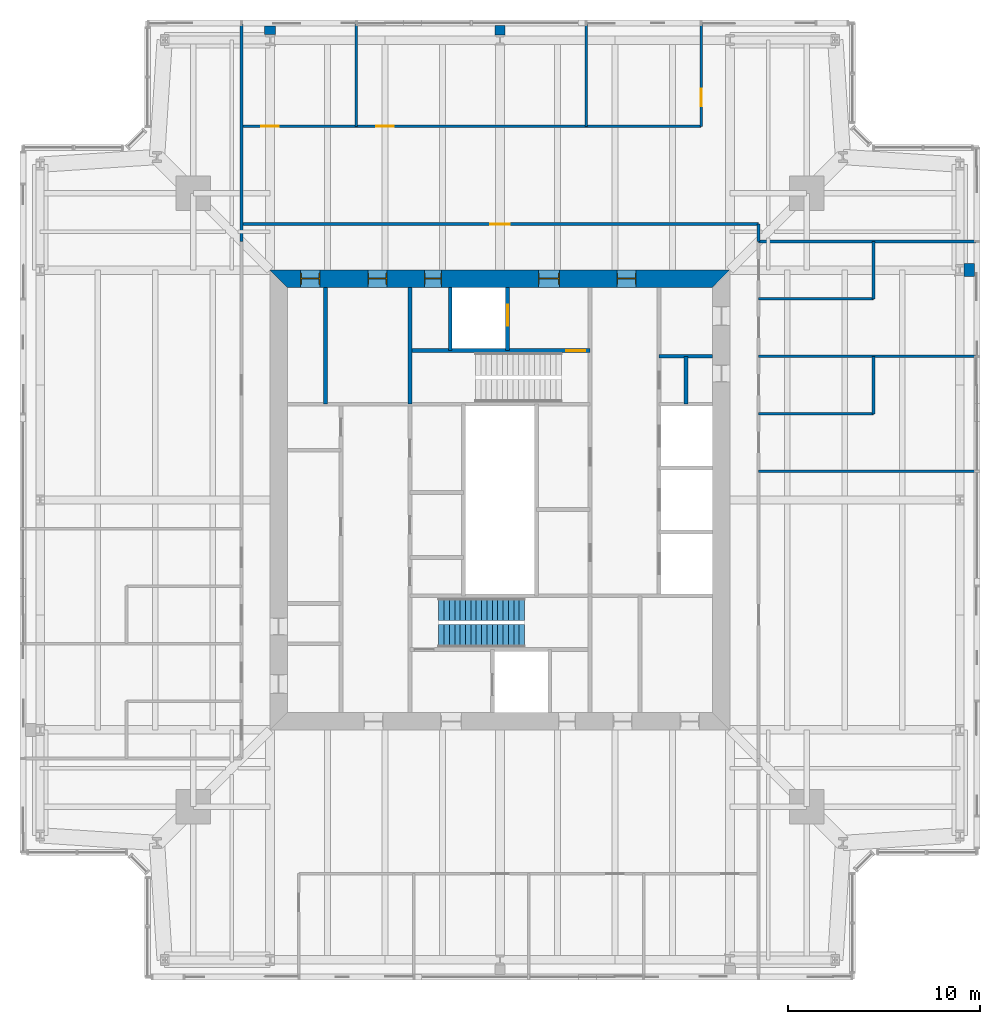
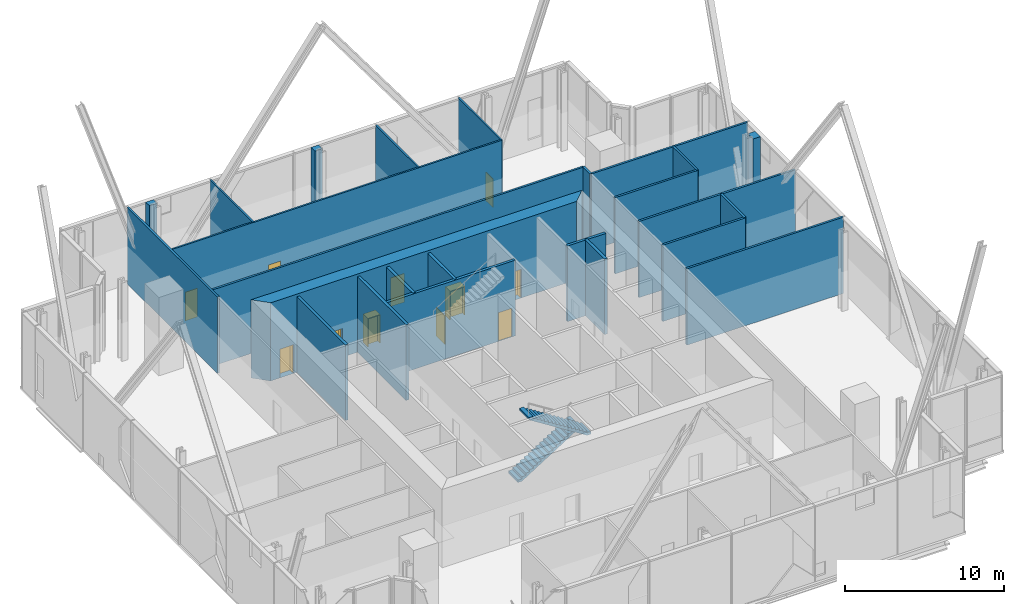
# One storey, part 12 of 20: 25 walls, 11 doors, 2 stair flights, 11 openings, 1 element without a shape of its own.
"""IFC4 building model written with IfcOpenShell, lengths in metres."""

from ifc_helpers import new_model, si_unit, direction, frame, frame_2d, origin, place, context, subcontext, project, spatial, polyline, rectangle, outline, extrude, material, layer, layer_set, type_object, element, fill, aggregate, save


model = new_model("IFC4")

# Units and contexts
model_context = context("Model", 3, precision=1e-05, world=origin(), true_north=direction((0.0, 1.0)))
body_context = subcontext(model_context, "Body", "Model", "MODEL_VIEW")
ifc_project = project(units=[si_unit("LENGTHUNIT", "METRE"), si_unit("AREAUNIT", "SQUARE_METRE"), si_unit("VOLUMEUNIT", "CUBIC_METRE"), si_unit("PLANEANGLEUNIT", "RADIAN"), si_unit("MASSUNIT", "GRAM", prefix="KILO")], contexts=[model_context])

# Site, building, storey
site_placement = place(None, origin())
site = spatial("IfcSite", under=ifc_project, at=site_placement, CompositionType="ELEMENT")
building_placement = place(site_placement, origin())
building = spatial("IfcBuilding", under=site, at=building_placement, Name="Fenwick Lantern Interchange", CompositionType="ELEMENT")
storey_placement = place(building_placement, frame((0.0, 0.0, 239.800048828125)))
storey = spatial("IfcBuildingStorey", under=building, at=storey_placement, Name="L56", CompositionType="ELEMENT", Elevation=239.800048828125)

# Walls
ifc_material_1 = material(Name="Fire-rated gypsum board encasement on steel studs, 2 hour", Category="steel")
ifc_layer_1 = layer(ifc_material_1, 0.5419921875)
ifc_layer_set_1 = layer_set([ifc_layer_1], Name="COLUMN PIER 542")
wall_type_1 = type_object("IfcWallType", Name="COLUMN PIER 542", PredefinedType="PARTITIONING", material=ifc_layer_set_1)
wall_1_placement = place(storey_placement, frame((25.0, 49.75, 0.0), z_axis=(0.0, 0.0, 1.0), x_axis=(0.0, -1.0, 0.0)))
element("IfcWall", 1, at=wall_1_placement, inside=storey, type_object=wall_type_1, Name="L56/W/PIER/CN3", PredefinedType="PARTITIONING", context=body_context, shape_type="SweptSolid", body=[
    extrude(rectangle(XDim=0.484619140625, YDim=0.5419921875, at=frame_2d((0.2421875, 0.0))), origin(), (0.0, 0.0, 1.0), 5.849853515625),
])
ifc_layer_2 = layer(ifc_material_1, 0.554931640625)
ifc_layer_set_2 = layer_set([ifc_layer_2], Name="COLUMN PIER 555")
wall_type_2 = type_object("IfcWallType", Name="COLUMN PIER 555", PredefinedType="PARTITIONING", material=ifc_layer_set_2)
wall_2_placement = place(storey_placement, frame((13.0, 49.75, 0.0), z_axis=(0.0, 0.0, 1.0), x_axis=(0.0, -1.0, 0.0)))
element("IfcWall", 2, at=wall_2_placement, inside=storey, type_object=wall_type_2, Name="L56/W/PIER/CN4", PredefinedType="PARTITIONING", context=body_context, shape_type="SweptSolid", body=[
    extrude(rectangle(XDim=0.465576171875, YDim=0.554931640625, at=frame_2d((0.23291015625, 0.0))), origin(), (0.0, 0.0, 1.0), 5.849853515625),
])
ifc_layer_3 = layer(ifc_material_1, 0.6689453125)
ifc_layer_set_3 = layer_set([ifc_layer_3], Name="COLUMN PIER 669")
wall_type_3 = type_object("IfcWallType", Name="COLUMN PIER 669", PredefinedType="PARTITIONING", material=ifc_layer_set_3)
wall_3_placement = place(storey_placement, frame((49.75, 37.0, 0.0), z_axis=(0.0, 0.0, 1.0), x_axis=(-1.0, 0.0, 0.0)))
element("IfcWall", 3, at=wall_3_placement, inside=storey, type_object=wall_type_3, Name="L56/W/PIER/CE4", PredefinedType="PARTITIONING", context=body_context, shape_type="SweptSolid", body=[
    extrude(rectangle(XDim=0.522705078125, YDim=0.6689453125, at=frame_2d((0.26123046875, 0.0))), origin(), (0.0, 0.0, 1.0), 5.849853515625),
])

# Wall, opening, door
ifc_material_2 = material(Name="Concrete masonry ASTM C90 Grade N", Category="masonry")
ifc_layer_4 = layer(ifc_material_2, 0.199951171875)
ifc_layer_set_4 = layer_set([ifc_layer_4], Name="Concrete masonry ASTM C90 Grade N")
wall_type_4 = type_object("IfcWallType", Name="CORE PARTITION 200", PredefinedType="PARTITIONING", material=ifc_layer_set_4)
wall_4_placement = place(storey_placement, frame((25.39990234375, 36.10009765625, 0.0), z_axis=(0.0, 0.0, 1.0), x_axis=(0.0, -1.0, 0.0)))
wall_4 = element("IfcWall", 4, at=wall_4_placement, inside=storey, type_object=wall_type_4, Name="L56/W/COREN/h1", PredefinedType="PARTITIONING", context=body_context, shape_type="SweptSolid", body=[
    extrude(rectangle(XDim=3.300048828125, YDim=0.199951171875, at=frame_2d((1.64990234375, 0.0))), origin(), (0.0, 0.0, 1.0), 5.800048828125),
])
opening_1_placement = place(wall_4_placement, frame((0.89990234375, 0.0, 0.0)))
opening_1 = element("IfcOpeningElement", 5, at=opening_1_placement, cuts=wall_4, Name="Opening LD-FL2", PredefinedType="OPENING", context=body_context, shape_type="SweptSolid", body=[
    extrude(rectangle(XDim=1.10009765625, YDim=2.199951171875, at=frame_2d((0.550048828125, 1.10009765625))), frame((0.0, 0.10986328125, 0.0), z_axis=(0.0, -1.0, 0.0), x_axis=(1.0, 0.0, 0.0)), (0.0, 0.0, 1.0), 0.219970703125),
])
ifc_material_3 = material(Name="Steel door and frame", Category="steel")
door_type_1 = type_object("IfcDoorType", Name="LIFT LANDING DOOR 1100 X 2200", OperationType="DOUBLE_DOOR_SLIDING", PredefinedType="DOOR", material=ifc_material_3)
door_1_placement = place(opening_1_placement, origin())
door_1 = element("IfcDoor", 6, at=door_1_placement, inside=storey, type_object=door_type_1, Name="Lift landing door FL2", OperationType="DOUBLE_DOOR_SLIDING", OverallHeight=2.199951171875, OverallWidth=1.10009765625, PredefinedType="DOOR", context=body_context, shape_type="SweptSolid", body=[
    extrude(rectangle(XDim=1.10009765625, YDim=2.199951171875, at=frame_2d((0.550048828125, 1.10009765625))), frame((0.0, 0.02490234375, 0.0), z_axis=(0.0, -1.0, 0.0), x_axis=(1.0, 0.0, 0.0)), (0.0, 0.0, 1.0), 0.050048828125),
])
fill(opening_1, door_1)

# Walls
wall_5_placement = place(storey_placement, frame((22.39990234375, 36.10009765625, 0.0), z_axis=(0.0, 0.0, 1.0), x_axis=(0.0, -1.0, 0.0)))
element("IfcWall", 7, at=wall_5_placement, inside=storey, type_object=wall_type_4, Name="L56/W/COREN/h2", PredefinedType="PARTITIONING", context=body_context, shape_type="SweptSolid", body=[
    extrude(rectangle(XDim=3.300048828125, YDim=0.199951171875, at=frame_2d((1.64990234375, 0.0))), origin(), (0.0, 0.0, 1.0), 5.800048828125),
])
wall_6_placement = place(storey_placement, frame((15.89990234375, 36.10009765625, 0.0), z_axis=(0.0, 0.0, 1.0), x_axis=(0.0, -1.0, 0.0)))
element("IfcWall", 8, at=wall_6_placement, inside=storey, type_object=wall_type_4, Name="L56/W/COREN/i2", PredefinedType="PARTITIONING", context=body_context, shape_type="SweptSolid", body=[
    extrude(rectangle(XDim=6.10009765625, YDim=0.199951171875, at=frame_2d((3.050048828125, 0.0))), origin(), (0.0, 0.0, 1.0), 5.800048828125),
])
wall_7_placement = place(storey_placement, frame((36.10009765625, 32.5, 0.0), z_axis=(0.0, 0.0, 1.0), x_axis=(-1.0, 0.0, 0.0)))
element("IfcWall", 9, at=wall_7_placement, inside=storey, type_object=wall_type_4, Name="L56/W/COREN/p1", PredefinedType="PARTITIONING", context=body_context, shape_type="SweptSolid", body=[
    extrude(rectangle(XDim=2.800048828125, YDim=0.199951171875, at=frame_2d((1.39990234375, 0.0))), origin(), (0.0, 0.0, 1.0), 5.800048828125),
])
wall_8_placement = place(storey_placement, frame((34.699951171875, 32.5, 0.0), z_axis=(0.0, 0.0, 1.0), x_axis=(0.0, -1.0, 0.0)))
element("IfcWall", 10, at=wall_8_placement, inside=storey, type_object=wall_type_4, Name="L56/W/COREN/px", PredefinedType="PARTITIONING", context=body_context, shape_type="SweptSolid", body=[
    extrude(rectangle(XDim=2.5, YDim=0.199951171875, at=frame_2d((1.25, 0.0))), origin(), (0.0, 0.0, 1.0), 5.800048828125),
])

# Wall, openings, doors
ifc_material_4 = material(Name="Concrete f'c 70 MPa", Category="concrete")
ifc_layer_5 = layer(ifc_material_4, 0.89990234375)
ifc_layer_set_5 = layer_set([ifc_layer_5], Name="CORE WALL 900")
wall_type_5 = type_object("IfcWallType", Name="CORE WALL 900", PredefinedType="SHEAR", material=ifc_layer_set_5)
wall_9_placement = place(storey_placement, frame((37.0, 36.550048828125, 0.0), z_axis=(0.0, 0.0, 1.0), x_axis=(-1.0, 0.0, 0.0)))
wall_9 = element("IfcWall", 11, at=wall_9_placement, inside=storey, type_object=wall_type_5, Name="L56/CORE/N", PredefinedType="SHEAR", context=body_context, shape_type="SweptSolid", body=[
    extrude(outline(polyline([(0.0, -0.449951171875), (24.0, -0.449951171875), (23.10009765625, 0.449951171875), (0.89990234375, 0.449951171875), (0.0, -0.449951171875)])), origin(), (0.0, 0.0, 1.0), 6.0),
])
opening_2_placement = place(wall_9_placement, frame((4.89990234375, 0.0, 0.0)))
opening_2 = element("IfcOpeningElement", 12, at=opening_2_placement, cuts=wall_9, Name="Opening L56-D014", PredefinedType="OPENING", context=body_context, shape_type="SweptSolid", body=[
    extrude(rectangle(XDim=1.0, YDim=2.199951171875, at=frame_2d((0.5, 1.10009765625))), frame((0.0, 0.4599609375, 0.0), z_axis=(0.0, -1.0, 0.0), x_axis=(1.0, 0.0, 0.0)), (0.0, 0.0, 1.0), 0.919921875),
])
opening_3_placement = place(wall_9_placement, frame((8.89990234375, 0.0, 0.0)))
opening_3 = element("IfcOpeningElement", 13, at=opening_3_placement, cuts=wall_9, Name="Opening L56-D015", PredefinedType="OPENING", context=body_context, shape_type="SweptSolid", body=[
    extrude(rectangle(XDim=1.10009765625, YDim=2.199951171875, at=frame_2d((0.550048828125, 1.10009765625))), frame((0.0, 0.4599609375, 0.0), z_axis=(0.0, -1.0, 0.0), x_axis=(1.0, 0.0, 0.0)), (0.0, 0.0, 1.0), 0.919921875),
])
opening_4_placement = place(wall_9_placement, frame((15.050048828125, 0.0, 0.0)))
opening_4 = element("IfcOpeningElement", 14, at=opening_4_placement, cuts=wall_9, Name="Opening L56-D017", PredefinedType="OPENING", context=body_context, shape_type="SweptSolid", body=[
    extrude(rectangle(XDim=0.89990234375, YDim=2.199951171875, at=frame_2d((0.449951171875, 1.10009765625))), frame((0.0, 0.4599609375, 0.0), z_axis=(0.0, -1.0, 0.0), x_axis=(1.0, 0.0, 0.0)), (0.0, 0.0, 1.0), 0.919921875),
])
opening_5_placement = place(wall_9_placement, frame((17.89990234375, 0.0, 0.0)))
opening_5 = element("IfcOpeningElement", 15, at=opening_5_placement, cuts=wall_9, Name="Opening L56-D018", PredefinedType="OPENING", context=body_context, shape_type="SweptSolid", body=[
    extrude(rectangle(XDim=1.0, YDim=2.199951171875, at=frame_2d((0.5, 1.10009765625))), frame((0.0, 0.4599609375, 0.0), z_axis=(0.0, -1.0, 0.0), x_axis=(1.0, 0.0, 0.0)), (0.0, 0.0, 1.0), 0.919921875),
])
opening_6_placement = place(wall_9_placement, frame((21.39990234375, 0.0, 0.0)))
opening_6 = element("IfcOpeningElement", 16, at=opening_6_placement, cuts=wall_9, Name="Opening L56-D019", PredefinedType="OPENING", context=body_context, shape_type="SweptSolid", body=[
    extrude(rectangle(XDim=1.0, YDim=2.199951171875, at=frame_2d((0.5, 1.10009765625))), frame((0.0, 0.4599609375, 0.0), z_axis=(0.0, -1.0, 0.0), x_axis=(1.0, 0.0, 0.0)), (0.0, 0.0, 1.0), 0.919921875),
])
door_type_2 = type_object("IfcDoorType", Name="CORE LOBBY DOOR 1000 X 2200", OperationType="SINGLE_SWING_LEFT", PredefinedType="DOOR", material=ifc_material_3)
door_2_placement = place(opening_2_placement, origin())
door_2 = element("IfcDoor", 17, at=door_2_placement, inside=storey, type_object=door_type_2, Name="Core lobby door", OperationType="SINGLE_SWING_LEFT", OverallHeight=2.199951171875, OverallWidth=1.0, PredefinedType="DOOR", context=body_context, shape_type="SweptSolid", body=[
    extrude(rectangle(XDim=1.0, YDim=2.199951171875, at=frame_2d((0.5, 1.10009765625))), frame((0.0, 0.02490234375, 0.0), z_axis=(0.0, -1.0, 0.0), x_axis=(1.0, 0.0, 0.0)), (0.0, 0.0, 1.0), 0.050048828125),
    extrude(outline(polyline([(0.0, 0.0), (0.0400390625, 0.0), (0.0400390625, 2.159912109375), (0.9599609375, 2.159912109375), (0.9599609375, 0.0), (1.0, 0.0), (1.0, 2.199951171875), (0.0, 2.199951171875), (0.0, 0.0)])), frame((0.0, 0.300048828125, 0.0), z_axis=(0.0, -1.0, 0.0), x_axis=(1.0, 0.0, 0.0)), (0.0, 0.0, 1.0), 0.60009765625),
])
fill(opening_2, door_2)
door_type_3 = type_object("IfcDoorType", Name="FIRE LOBBY DOOR 1100 X 2200", OperationType="SINGLE_SWING_LEFT", PredefinedType="DOOR", material=ifc_material_3)
door_3_placement = place(opening_3_placement, origin())
door_3 = element("IfcDoor", 18, at=door_3_placement, inside=storey, type_object=door_type_3, Name="Fire lobby door", OperationType="SINGLE_SWING_LEFT", OverallHeight=2.199951171875, OverallWidth=1.10009765625, PredefinedType="DOOR", context=body_context, shape_type="SweptSolid", body=[
    extrude(rectangle(XDim=1.10009765625, YDim=2.199951171875, at=frame_2d((0.550048828125, 1.10009765625))), frame((0.0, 0.02490234375, 0.0), z_axis=(0.0, -1.0, 0.0), x_axis=(1.0, 0.0, 0.0)), (0.0, 0.0, 1.0), 0.050048828125),
    extrude(outline(polyline([(0.0, 0.0), (0.0400390625, 0.0), (0.0400390625, 2.159912109375), (1.06005859375, 2.159912109375), (1.06005859375, 0.0), (1.10009765625, 0.0), (1.10009765625, 2.199951171875), (0.0, 2.199951171875), (0.0, 0.0)])), frame((0.0, 0.300048828125, 0.0), z_axis=(0.0, -1.0, 0.0), x_axis=(1.0, 0.0, 0.0)), (0.0, 0.0, 1.0), 0.60009765625),
])
fill(opening_3, door_3)
door_type_4 = type_object("IfcDoorType", Name="SERVICE DOOR 900 X 2200", OperationType="SINGLE_SWING_LEFT", PredefinedType="DOOR", material=ifc_material_3)
door_4_placement = place(opening_4_placement, origin())
door_4 = element("IfcDoor", 19, at=door_4_placement, inside=storey, type_object=door_type_4, Name="Service door", OperationType="SINGLE_SWING_LEFT", OverallHeight=2.199951171875, OverallWidth=0.89990234375, PredefinedType="DOOR", context=body_context, shape_type="SweptSolid", body=[
    extrude(rectangle(XDim=0.89990234375, YDim=2.199951171875, at=frame_2d((0.449951171875, 1.10009765625))), frame((0.0, 0.02490234375, 0.0), z_axis=(0.0, -1.0, 0.0), x_axis=(1.0, 0.0, 0.0)), (0.0, 0.0, 1.0), 0.050048828125),
    extrude(outline(polyline([(0.0, 0.0), (0.0400390625, 0.0), (0.0400390625, 2.159912109375), (0.85986328125, 2.159912109375), (0.85986328125, 0.0), (0.89990234375, 0.0), (0.89990234375, 2.199951171875), (0.0, 2.199951171875), (0.0, 0.0)])), frame((0.0, 0.300048828125, 0.0), z_axis=(0.0, -1.0, 0.0), x_axis=(1.0, 0.0, 0.0)), (0.0, 0.0, 1.0), 0.60009765625),
])
fill(opening_4, door_4)
ifc_material_5 = material(Name="Hardwood door and steel frame", Category="steel")
door_type_5 = type_object("IfcDoorType", Name="WC DOOR 1000 X 2200", OperationType="SINGLE_SWING_LEFT", PredefinedType="DOOR", material=ifc_material_5)
door_5_placement = place(opening_5_placement, origin())
door_5 = element("IfcDoor", 20, at=door_5_placement, inside=storey, type_object=door_type_5, Name="Wc door", OperationType="SINGLE_SWING_LEFT", OverallHeight=2.199951171875, OverallWidth=1.0, PredefinedType="DOOR", context=body_context, shape_type="SweptSolid", body=[
    extrude(rectangle(XDim=1.0, YDim=2.199951171875, at=frame_2d((0.5, 1.10009765625))), frame((0.0, 0.02490234375, 0.0), z_axis=(0.0, -1.0, 0.0), x_axis=(1.0, 0.0, 0.0)), (0.0, 0.0, 1.0), 0.050048828125),
    extrude(outline(polyline([(0.0, 0.0), (0.0400390625, 0.0), (0.0400390625, 2.159912109375), (0.9599609375, 2.159912109375), (0.9599609375, 0.0), (1.0, 0.0), (1.0, 2.199951171875), (0.0, 2.199951171875), (0.0, 0.0)])), frame((0.0, 0.300048828125, 0.0), z_axis=(0.0, -1.0, 0.0), x_axis=(1.0, 0.0, 0.0)), (0.0, 0.0, 1.0), 0.60009765625),
])
fill(opening_5, door_5)
door_6_placement = place(opening_6_placement, origin())
door_6 = element("IfcDoor", 21, at=door_6_placement, inside=storey, type_object=door_type_5, Name="Wc door", OperationType="SINGLE_SWING_LEFT", OverallHeight=2.199951171875, OverallWidth=1.0, PredefinedType="DOOR", context=body_context, shape_type="SweptSolid", body=[
    extrude(rectangle(XDim=1.0, YDim=2.199951171875, at=frame_2d((0.5, 1.10009765625))), frame((0.0, 0.02490234375, 0.0), z_axis=(0.0, -1.0, 0.0), x_axis=(1.0, 0.0, 0.0)), (0.0, 0.0, 1.0), 0.050048828125),
    extrude(outline(polyline([(0.0, 0.0), (0.0400390625, 0.0), (0.0400390625, 2.159912109375), (0.9599609375, 2.159912109375), (0.9599609375, 0.0), (1.0, 0.0), (1.0, 2.199951171875), (0.0, 2.199951171875), (0.0, 0.0)])), frame((0.0, 0.300048828125, 0.0), z_axis=(0.0, -1.0, 0.0), x_axis=(1.0, 0.0, 0.0)), (0.0, 0.0, 1.0), 0.60009765625),
])
fill(opening_6, door_6)

# Wall
ifc_material_6 = material(Name="Gypsum board on steel studs, 1 hour", Category="steel")
ifc_layer_6 = layer(ifc_material_6, 0.14990234375)
ifc_layer_set_6 = layer_set([ifc_layer_6], Name="CORRIDOR WALL 150")
wall_type_6 = type_object("IfcWallType", Name="CORRIDOR WALL 150", PredefinedType="PARTITIONING", material=ifc_layer_set_6)
wall_10_placement = place(storey_placement, frame((38.5, 38.5, 0.0), z_axis=(0.0, 0.0, 1.0), x_axis=(0.0, 1.0, 0.0)))
element("IfcWall", 22, at=wall_10_placement, inside=storey, type_object=wall_type_6, Name="L56/W/OFF/N/CWJ", PredefinedType="PARTITIONING", context=body_context, shape_type="SweptSolid", body=[
    extrude(rectangle(XDim=0.89990234375, YDim=0.14990234375, at=frame_2d((0.449951171875, 0.0))), origin(), (0.0, 0.0, 1.0), 5.849853515625),
])

# Wall, opening, door
wall_11_placement = place(storey_placement, frame((38.5, 39.39990234375, 0.0), z_axis=(0.0, 0.0, 1.0), x_axis=(-1.0, 0.0, 0.0)))
wall_11 = element("IfcWall", 23, at=wall_11_placement, inside=storey, type_object=wall_type_6, Name="L56/W/OFF/N/CW2", PredefinedType="PARTITIONING", context=body_context, shape_type="SweptSolid", body=[
    extrude(rectangle(XDim=27.0, YDim=0.14990234375, at=frame_2d((13.5, 0.0))), origin(), (0.0, 0.0, 1.0), 5.849853515625),
])
opening_7_placement = place(wall_11_placement, frame((13.0, 0.0, 0.0)))
opening_7 = element("IfcOpeningElement", 24, at=opening_7_placement, cuts=wall_11, Name="Opening L56-D034", PredefinedType="OPENING", context=body_context, shape_type="SweptSolid", body=[
    extrude(rectangle(XDim=1.0, YDim=2.199951171875, at=frame_2d((0.5, 1.10009765625))), frame((0.0, 0.0849609375, 0.0), z_axis=(0.0, -1.0, 0.0), x_axis=(1.0, 0.0, 0.0)), (0.0, 0.0, 1.0), 0.169921875),
])
door_type_6 = type_object("IfcDoorType", Name="SUITE ENTRANCE DOOR 1000 X 2200", OperationType="SINGLE_SWING_LEFT", PredefinedType="DOOR", material=ifc_material_3)
door_7_placement = place(opening_7_placement, frame((1.0, 0.0, 0.0), z_axis=(0.0, 0.0, 1.0), x_axis=(-1.0, 0.0, 0.0)))
door_7 = element("IfcDoor", 25, at=door_7_placement, inside=storey, type_object=door_type_6, Name="Suite entrance door", OperationType="SINGLE_SWING_LEFT", OverallHeight=2.199951171875, OverallWidth=1.0, PredefinedType="DOOR", context=body_context, shape_type="SweptSolid", body=[
    extrude(rectangle(XDim=1.0, YDim=2.199951171875, at=frame_2d((0.5, 1.10009765625))), frame((0.0, 0.02490234375, 0.0), z_axis=(0.0, -1.0, 0.0), x_axis=(1.0, 0.0, 0.0)), (0.0, 0.0, 1.0), 0.050048828125),
])
fill(opening_7, door_7)

ifc_material_7 = material(Name="Gypsum board on steel studs, acoustic", Category="steel")
ifc_layer_7 = layer(ifc_material_7, 0.125)
ifc_layer_set_7 = layer_set([ifc_layer_7], Name="OFFICE PARTITION 125")
wall_type_7 = type_object("IfcWallType", Name="OFFICE PARTITION 125", PredefinedType="PARTITIONING", material=ifc_layer_set_7)
wall_12_placement = place(storey_placement, frame((35.5, 49.85009765625, 0.0), z_axis=(0.0, 0.0, 1.0), x_axis=(0.0, -1.0, 0.0)))
wall_12 = element("IfcWall", 26, at=wall_12_placement, inside=storey, type_object=wall_type_7, Name="L56/W/OFF/N/X145-1", PredefinedType="PARTITIONING", context=body_context, shape_type="SweptSolid", body=[
    extrude(rectangle(XDim=5.35009765625, YDim=0.125, at=frame_2d((2.675048828125, 0.0))), origin(), (0.0, 0.0, 1.0), 5.849853515625),
])
opening_8_placement = place(wall_12_placement, frame((3.39990234375, 0.0, 0.0)))
opening_8 = element("IfcOpeningElement", 27, at=opening_8_placement, cuts=wall_12, Name="Opening L56-D035", PredefinedType="OPENING", context=body_context, shape_type="SweptSolid", body=[
    extrude(rectangle(XDim=0.89990234375, YDim=2.199951171875, at=frame_2d((0.449951171875, 1.10009765625))), frame((0.0, 0.072509765625, 0.0), z_axis=(0.0, -1.0, 0.0), x_axis=(1.0, 0.0, 0.0)), (0.0, 0.0, 1.0), 0.14501953125),
])
door_type_7 = type_object("IfcDoorType", Name="OFFICE DOOR 900 X 2200", OperationType="SINGLE_SWING_LEFT", PredefinedType="DOOR", material=ifc_material_5)
door_8_placement = place(opening_8_placement, frame((0.89990234375, 0.0, 0.0), z_axis=(0.0, 0.0, 1.0), x_axis=(-1.0, 0.0, 0.0)))
door_8 = element("IfcDoor", 28, at=door_8_placement, inside=storey, type_object=door_type_7, Name="Office door", OperationType="SINGLE_SWING_LEFT", OverallHeight=2.199951171875, OverallWidth=0.89990234375, PredefinedType="DOOR", context=body_context, shape_type="SweptSolid", body=[
    extrude(rectangle(XDim=0.89990234375, YDim=2.199951171875, at=frame_2d((0.449951171875, 1.10009765625))), frame((0.0, 0.02490234375, 0.0), z_axis=(0.0, -1.0, 0.0), x_axis=(1.0, 0.0, 0.0)), (0.0, 0.0, 1.0), 0.050048828125),
])
fill(opening_8, door_8)

# Walls
for number, where, z_axis, x_axis, name in (
    (29, (29.5, 49.85009765625, 0.0), (0.0, 0.0, 1.0), (0.0, -1.0, 0.0), "L56/W/OFF/N/X205-1"),
    (30, (17.5, 49.85009765625, 0.0), (0.0, 0.0, 1.0), (0.0, -1.0, 0.0), "L56/W/OFF/N/X325-1"),
):
    element("IfcWall", number, at=place(storey_placement, frame(where, z_axis=z_axis, x_axis=x_axis)), inside=storey, type_object=wall_type_7, Name=name, PredefinedType="PARTITIONING", context=body_context, shape_type="SweptSolid", body=[
        extrude(rectangle(XDim=5.35009765625, YDim=0.125, at=frame_2d((2.675048828125, 0.0))), origin(), (0.0, 0.0, 1.0), 5.849853515625),
    ])

# Wall, openings, doors
wall_13_placement = place(storey_placement, frame((35.5, 44.5, 0.0), z_axis=(0.0, 0.0, 1.0), x_axis=(-1.0, 0.0, 0.0)))
wall_13 = element("IfcWall", 31, at=wall_13_placement, inside=storey, type_object=wall_type_7, Name="L56/W/OFF/N/Y55-1", PredefinedType="PARTITIONING", context=body_context, shape_type="SweptSolid", body=[
    extrude(rectangle(XDim=24.0, YDim=0.125, at=frame_2d((12.0, 0.0))), origin(), (0.0, 0.0, 1.0), 5.849853515625),
])
opening_9_placement = place(wall_13_placement, frame((16.050048828125, 0.0, 0.0)))
opening_9 = element("IfcOpeningElement", 32, at=opening_9_placement, cuts=wall_13, Name="Opening L56-D036", PredefinedType="OPENING", context=body_context, shape_type="SweptSolid", body=[
    extrude(rectangle(XDim=0.89990234375, YDim=2.199951171875, at=frame_2d((0.449951171875, 1.10009765625))), frame((0.0, 0.072509765625, 0.0), z_axis=(0.0, -1.0, 0.0), x_axis=(1.0, 0.0, 0.0)), (0.0, 0.0, 1.0), 0.14501953125),
])
opening_10_placement = place(wall_13_placement, frame((22.050048828125, 0.0, 0.0)))
opening_10 = element("IfcOpeningElement", 33, at=opening_10_placement, cuts=wall_13, Name="Opening L56-D037", PredefinedType="OPENING", context=body_context, shape_type="SweptSolid", body=[
    extrude(rectangle(XDim=0.89990234375, YDim=2.199951171875, at=frame_2d((0.449951171875, 1.10009765625))), frame((0.0, 0.072509765625, 0.0), z_axis=(0.0, -1.0, 0.0), x_axis=(1.0, 0.0, 0.0)), (0.0, 0.0, 1.0), 0.14501953125),
])
door_9_placement = place(opening_9_placement, frame((0.89990234375, 0.0, 0.0), z_axis=(0.0, 0.0, 1.0), x_axis=(-1.0, 0.0, 0.0)))
door_9 = element("IfcDoor", 34, at=door_9_placement, inside=storey, type_object=door_type_7, Name="Office door", OperationType="SINGLE_SWING_LEFT", OverallHeight=2.199951171875, OverallWidth=0.89990234375, PredefinedType="DOOR", context=body_context, shape_type="SweptSolid", body=[
    extrude(rectangle(XDim=0.89990234375, YDim=2.199951171875, at=frame_2d((0.449951171875, 1.10009765625))), frame((0.0, 0.02490234375, 0.0), z_axis=(0.0, -1.0, 0.0), x_axis=(1.0, 0.0, 0.0)), (0.0, 0.0, 1.0), 0.050048828125),
])
fill(opening_9, door_9)
door_10_placement = place(opening_10_placement, frame((0.89990234375, 0.0, 0.0), z_axis=(0.0, 0.0, 1.0), x_axis=(-1.0, 0.0, 0.0)))
door_10 = element("IfcDoor", 35, at=door_10_placement, inside=storey, type_object=door_type_7, Name="Office door", OperationType="SINGLE_SWING_LEFT", OverallHeight=2.199951171875, OverallWidth=0.89990234375, PredefinedType="DOOR", context=body_context, shape_type="SweptSolid", body=[
    extrude(rectangle(XDim=0.89990234375, YDim=2.199951171875, at=frame_2d((0.449951171875, 1.10009765625))), frame((0.0, 0.02490234375, 0.0), z_axis=(0.0, -1.0, 0.0), x_axis=(1.0, 0.0, 0.0)), (0.0, 0.0, 1.0), 0.050048828125),
])
fill(opening_10, door_10)

# Wall, opening, door
ifc_material_8 = material(Name="Concrete f'c 45 MPa", Category="concrete")
ifc_layer_8 = layer(ifc_material_8, 0.199951171875)
ifc_layer_set_8 = layer_set([ifc_layer_8], Name="STAIR CORE WALL 200")
wall_type_8 = type_object("IfcWallType", Name="STAIR CORE WALL 200", PredefinedType="SOLIDWALL", material=ifc_layer_set_8)
wall_14_placement = place(storey_placement, frame((29.699951171875, 32.800048828125, 0.0), z_axis=(0.0, 0.0, 1.0), x_axis=(-1.0, 0.0, 0.0)))
wall_14 = element("IfcWall", 36, at=wall_14_placement, inside=storey, type_object=wall_type_8, Name="L56/W/COREN/g1", PredefinedType="SOLIDWALL", context=body_context, shape_type="SweptSolid", body=[
    extrude(rectangle(XDim=9.39990234375, YDim=0.199951171875, at=frame_2d((4.699951171875, 0.0))), origin(), (0.0, 0.0, 1.0), 5.800048828125),
])
opening_11_placement = place(wall_14_placement, frame((0.25, 0.0, 0.0)))
opening_11 = element("IfcOpeningElement", 37, at=opening_11_placement, cuts=wall_14, Name="Opening L56-D016", PredefinedType="OPENING", context=body_context, shape_type="SweptSolid", body=[
    extrude(rectangle(XDim=1.0, YDim=2.199951171875, at=frame_2d((0.5, 1.10009765625))), frame((0.0, 0.10986328125, 0.0), z_axis=(0.0, -1.0, 0.0), x_axis=(1.0, 0.0, 0.0)), (0.0, 0.0, 1.0), 0.219970703125),
])
door_type_8 = type_object("IfcDoorType", Name="STAIR DOOR 1000 X 2200", OperationType="SINGLE_SWING_LEFT", PredefinedType="DOOR", material=ifc_material_3)
door_11_placement = place(opening_11_placement, origin())
door_11 = element("IfcDoor", 38, at=door_11_placement, inside=storey, type_object=door_type_8, Name="Stair door", OperationType="SINGLE_SWING_LEFT", OverallHeight=2.199951171875, OverallWidth=1.0, PredefinedType="DOOR", context=body_context, shape_type="SweptSolid", body=[
    extrude(rectangle(XDim=1.0, YDim=2.199951171875, at=frame_2d((0.5, 1.10009765625))), frame((0.0, 0.02490234375, 0.0), z_axis=(0.0, -1.0, 0.0), x_axis=(1.0, 0.0, 0.0)), (0.0, 0.0, 1.0), 0.050048828125),
])
fill(opening_11, door_11)

# Walls
wall_15_placement = place(storey_placement, frame((20.300048828125, 36.10009765625, 0.0), z_axis=(0.0, 0.0, 1.0), x_axis=(0.0, -1.0, 0.0)))
element("IfcWall", 39, at=wall_15_placement, inside=storey, type_object=wall_type_8, Name="L56/W/COREN/i1", PredefinedType="SOLIDWALL", context=body_context, shape_type="SweptSolid", body=[
    extrude(rectangle(XDim=6.10009765625, YDim=0.199951171875, at=frame_2d((3.050048828125, 0.0))), origin(), (0.0, 0.0, 1.0), 5.800048828125),
])
ifc_material_9 = material(Name="Gypsum board on steel studs, 1 hour acoustic", Category="steel")
ifc_layer_9 = layer(ifc_material_9, 0.14990234375)
ifc_layer_set_9 = layer_set([ifc_layer_9], Name="TENANT WALL 150")
wall_type_9 = type_object("IfcWallType", Name="TENANT WALL 150", PredefinedType="PARTITIONING", material=ifc_layer_set_9)
wall_16_placement = place(storey_placement, frame((49.85009765625, 26.5, 0.0), z_axis=(0.0, 0.0, 1.0), x_axis=(-1.0, 0.0, 0.0)))
element("IfcWall", 40, at=wall_16_placement, inside=storey, type_object=wall_type_9, Name="L56/W/OFF/E/X265-1", PredefinedType="PARTITIONING", context=body_context, shape_type="SweptSolid", body=[
    extrude(rectangle(XDim=11.35009765625, YDim=0.14990234375, at=frame_2d((5.675048828125, 0.0))), origin(), (0.0, 0.0, 1.0), 5.849853515625),
])
wall_17_placement = place(storey_placement, frame((44.5, 29.5, 0.0), z_axis=(0.0, 0.0, 1.0), x_axis=(-1.0, 0.0, 0.0)))
element("IfcWall", 41, at=wall_17_placement, inside=storey, type_object=wall_type_9, Name="L56/W/OFF/E/X295-1", PredefinedType="PARTITIONING", context=body_context, shape_type="SweptSolid", body=[
    extrude(rectangle(XDim=6.0, YDim=0.14990234375, at=frame_2d((3.0, 0.0))), origin(), (0.0, 0.0, 1.0), 5.849853515625),
])
wall_18_placement = place(storey_placement, frame((49.85009765625, 32.5, 0.0), z_axis=(0.0, 0.0, 1.0), x_axis=(-1.0, 0.0, 0.0)))
element("IfcWall", 42, at=wall_18_placement, inside=storey, type_object=wall_type_9, Name="L56/W/OFF/E/X325-1", PredefinedType="PARTITIONING", context=body_context, shape_type="SweptSolid", body=[
    extrude(rectangle(XDim=11.35009765625, YDim=0.14990234375, at=frame_2d((5.675048828125, 0.0))), origin(), (0.0, 0.0, 1.0), 5.849853515625),
])
wall_19_placement = place(storey_placement, frame((44.5, 35.5, 0.0), z_axis=(0.0, 0.0, 1.0), x_axis=(-1.0, 0.0, 0.0)))
element("IfcWall", 43, at=wall_19_placement, inside=storey, type_object=wall_type_9, Name="L56/W/OFF/E/X355-1", PredefinedType="PARTITIONING", context=body_context, shape_type="SweptSolid", body=[
    extrude(rectangle(XDim=6.0, YDim=0.14990234375, at=frame_2d((3.0, 0.0))), origin(), (0.0, 0.0, 1.0), 5.849853515625),
])
for number, where, z_axis, x_axis, name in (
    (44, (44.5, 29.5, 0.0), (0.0, 0.0, 1.0), (0.0, 1.0, 0.0), "L56/W/OFF/E/Y55-1"),
    (45, (44.5, 35.5, 0.0), (0.0, 0.0, 1.0), (0.0, 1.0, 0.0), "L56/W/OFF/E/Y55-2"),
):
    element("IfcWall", number, at=place(storey_placement, frame(where, z_axis=z_axis, x_axis=x_axis)), inside=storey, type_object=wall_type_9, Name=name, PredefinedType="PARTITIONING", context=body_context, shape_type="SweptSolid", body=[
        extrude(rectangle(XDim=3.0, YDim=0.14990234375, at=frame_2d((1.5, 0.0))), origin(), (0.0, 0.0, 1.0), 5.849853515625),
    ])
for number, where, z_axis, x_axis, name in (
    (46, (49.85009765625, 38.5, 0.0), (0.0, 0.0, 1.0), (-1.0, 0.0, 0.0), "L56/W/OFF/N/BACK"),
    (47, (11.5, 49.85009765625, 0.0), (0.0, 0.0, 1.0), (0.0, -1.0, 0.0), "L56/W/OFF/W/BACK"),
):
    element("IfcWall", number, at=place(storey_placement, frame(where, z_axis=z_axis, x_axis=x_axis)), inside=storey, type_object=wall_type_9, Name=name, PredefinedType="PARTITIONING", context=body_context, shape_type="SweptSolid", body=[
        extrude(rectangle(XDim=11.35009765625, YDim=0.14990234375, at=frame_2d((5.675048828125, 0.0))), origin(), (0.0, 0.0, 1.0), 5.849853515625),
    ])

# Stair, stair flights
ifc_material_10 = material(Name="Precast concrete f'c 35 MPa", Category="concrete")
stair_type = type_object("IfcStairType", Name="EXIT STAIR 1200", PredefinedType="HALF_TURN_STAIR", material=ifc_material_10)
stair_placement = place(storey_placement, origin())
stair = element("IfcStair", 48, at=stair_placement, inside=storey, type_object=stair_type, Name="Exit stair ST1", PredefinedType="HALF_TURN_STAIR")
stair_flight_type = type_object("IfcStairFlightType", Name="STAIR FLIGHT 1200", PredefinedType="STRAIGHT", material=ifc_material_10)
stair_flight_1_placement = place(storey_placement, frame((21.800048828125, 19.300048828125, 0.0), z_axis=(0.0, 0.0, 1.0), x_axis=(1.0, 0.0, 0.0)))
stair_flight_1 = element("IfcStairFlight", 49, at=stair_flight_1_placement, type_object=stair_flight_type, Name="ST1 flight 1", NumberOfRisers=17, NumberOfTreads=16, PredefinedType="STRAIGHT", RiserHeight=0.176470588, TreadLength=0.28, context=body_context, shape_type="SweptSolid", body=[
    extrude(outline(polyline([(0.0, 0.0), (0.0, 0.176513671875), (0.280029296875, 0.176513671875), (0.280029296875, 0.35302734375), (0.56005859375, 0.35302734375), (0.56005859375, 0.529296875), (0.840087890625, 0.529296875), (0.840087890625, 0.705810546875), (1.1201171875, 0.705810546875), (1.1201171875, 0.88232421875), (1.39990234375, 0.88232421875), (1.39990234375, 1.058837890625), (1.679931640625, 1.058837890625), (1.679931640625, 1.2353515625), (1.9599609375, 1.2353515625), (1.9599609375, 1.411865234375), (2.239990234375, 1.411865234375), (2.239990234375, 1.588134765625), (2.52001953125, 1.588134765625), (2.52001953125, 1.7646484375), (2.800048828125, 1.7646484375), (2.800048828125, 1.941162109375), (3.080078125, 1.941162109375), (3.080078125, 2.11767578125), (3.360107421875, 2.11767578125), (3.360107421875, 2.294189453125), (3.639892578125, 2.294189453125), (3.639892578125, 2.470703125), (3.919921875, 2.470703125), (3.919921875, 2.64697265625), (4.199951171875, 2.64697265625), (4.199951171875, 2.823486328125), (4.47998046875, 2.823486328125), (4.47998046875, 3.0), (4.47998046875, 2.646240234375), (0.28125, 0.0), (0.0, 0.0)])), frame((0.0, 0.60009765625, 0.0), z_axis=(0.0, -1.0, 0.0), x_axis=(1.0, 0.0, 0.0)), (0.0, 0.0, 1.0), 1.199951171875),
])
stair_flight_2_placement = place(storey_placement, frame((26.280029296875, 17.89990234375, 3.0), z_axis=(0.0, 0.0, 1.0), x_axis=(-1.0, 0.0, 0.0)))
stair_flight_2 = element("IfcStairFlight", 50, at=stair_flight_2_placement, type_object=stair_flight_type, Name="ST1 flight 2", NumberOfRisers=17, NumberOfTreads=16, PredefinedType="STRAIGHT", RiserHeight=0.176470588, TreadLength=0.28, context=body_context, shape_type="SweptSolid", body=[
    extrude(outline(polyline([(0.0, 0.0), (0.0, 0.176513671875), (0.280029296875, 0.176513671875), (0.280029296875, 0.35302734375), (0.56005859375, 0.35302734375), (0.56005859375, 0.529296875), (0.840087890625, 0.529296875), (0.840087890625, 0.705810546875), (1.1201171875, 0.705810546875), (1.1201171875, 0.88232421875), (1.39990234375, 0.88232421875), (1.39990234375, 1.058837890625), (1.679931640625, 1.058837890625), (1.679931640625, 1.2353515625), (1.9599609375, 1.2353515625), (1.9599609375, 1.411865234375), (2.239990234375, 1.411865234375), (2.239990234375, 1.588134765625), (2.52001953125, 1.588134765625), (2.52001953125, 1.7646484375), (2.800048828125, 1.7646484375), (2.800048828125, 1.941162109375), (3.080078125, 1.941162109375), (3.080078125, 2.11767578125), (3.360107421875, 2.11767578125), (3.360107421875, 2.294189453125), (3.639892578125, 2.294189453125), (3.639892578125, 2.470703125), (3.919921875, 2.470703125), (3.919921875, 2.64697265625), (4.199951171875, 2.64697265625), (4.199951171875, 2.823486328125), (4.47998046875, 2.823486328125), (4.47998046875, 3.0), (4.47998046875, 2.646240234375), (0.28125, 0.0), (0.0, 0.0)])), frame((0.0, 0.60009765625, 0.0), z_axis=(0.0, -1.0, 0.0), x_axis=(1.0, 0.0, 0.0)), (0.0, 0.0, 1.0), 1.199951171875),
])
aggregate(stair, [stair_flight_1, stair_flight_2])

save(model, "model.ifc")
